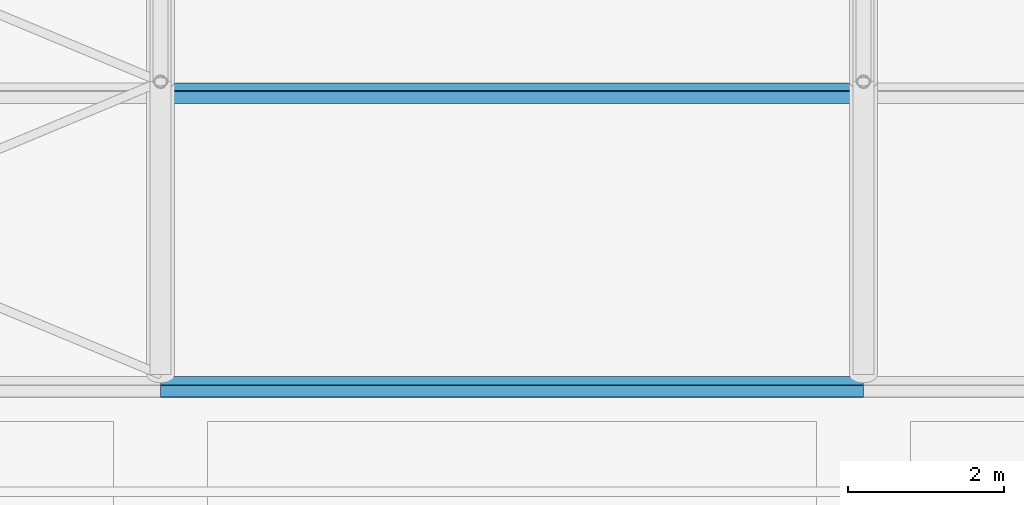
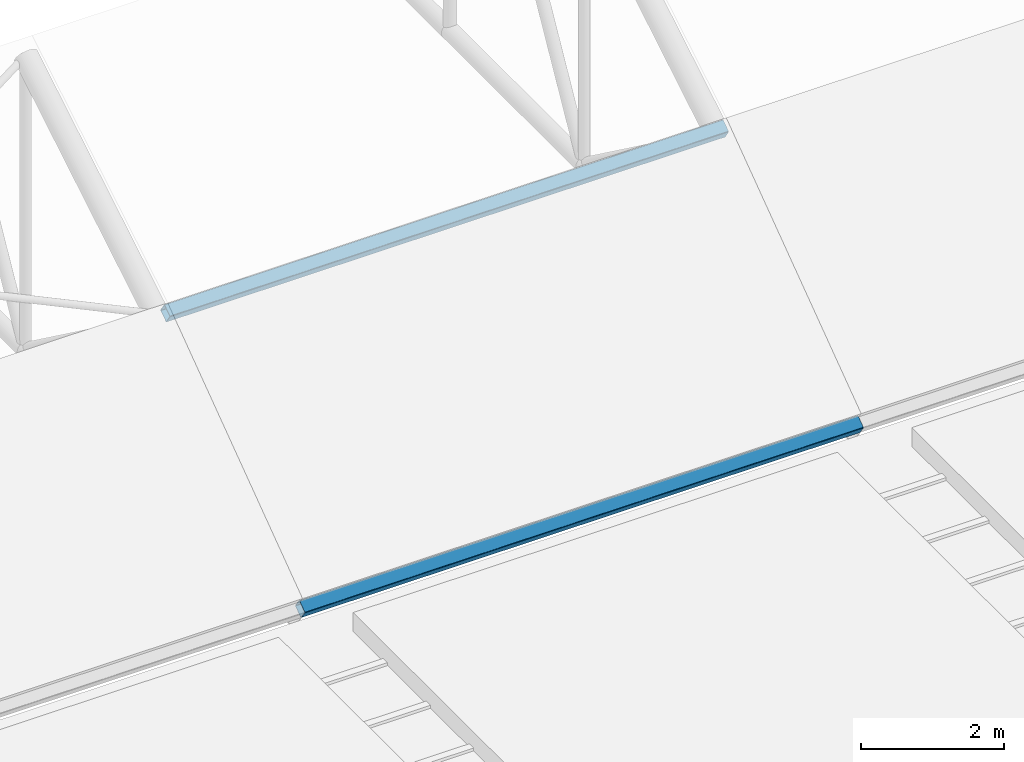
# One storey, part 24 of 153: 2 members.
"""IFC4 building model written with IfcOpenShell, lengths in metres."""

from ifc_helpers import new_model, si_unit, direction, frame, origin, origin_2d, place, context, subcontext, project, spatial, hollow_rectangle, extrude, material, material_profile, profile_set, type_object, element, save


model = new_model("IFC4")

# Units and contexts
model_context = context("Model", 3, precision=1e-05, world=origin(), true_north=direction((0.0, 1.0)))
body_context = subcontext(model_context, "Body", "Model", "MODEL_VIEW")
ifc_project = project(units=[si_unit("LENGTHUNIT", "METRE"), si_unit("AREAUNIT", "SQUARE_METRE"), si_unit("VOLUMEUNIT", "CUBIC_METRE"), si_unit("PLANEANGLEUNIT", "RADIAN"), si_unit("MASSUNIT", "GRAM", prefix="KILO")], contexts=[model_context])

# Site, building, storey
site_placement = place(None, origin())
site = spatial("IfcSite", under=ifc_project, at=site_placement, CompositionType="ELEMENT")
building_placement = place(site_placement, origin())
building = spatial("IfcBuilding", under=site, at=building_placement, Name="Baradari Gate Terminus", CompositionType="ELEMENT")
storey_placement = place(building_placement, frame((0.0, 0.0, 11.699951171875)))
storey = spatial("IfcBuildingStorey", under=building, at=storey_placement, Name="L02", CompositionType="ELEMENT", Elevation=11.699951171875)

# Members
ifc_material = material(Name="Steel S355", Category="steel")
ifc_material_profile = material_profile(ifc_material, hollow_rectangle(XDim=0.199951171875, YDim=0.199951171875, WallThickness=0.008056640625, InnerFilletRadius=0.008056640625, OuterFilletRadius=0.01611328125, at=origin_2d()), Name="SHS 200x200x8")
ifc_profile_set = profile_set([ifc_material_profile], Name="Steel S355")
member_type = type_object("IfcMemberType", Name="Shed purlin SHS 200x200x8", PredefinedType="PURLIN", material=ifc_profile_set)
for number, where, z_axis, x_axis, name in (
    (1, (126.0, 35.8427734375, 0.350830078125), (1.0, 0.0, 0.0), (0.0, 0.80640499586, 0.591363663621), "TR/L02/B135-PU00"),
    (2, (126.0, 39.602783203125, 3.10791015625), (1.0, 0.0, 0.0), (0.0, 0.832836263724, 0.55351942859), "TR/L02/B135-PU01"),
):
    element("IfcMember", number, at=place(storey_placement, frame(where, z_axis=z_axis, x_axis=x_axis)), inside=storey, type_object=member_type, Name=name, PredefinedType="PURLIN", context=body_context, shape_type="SweptSolid", body=[
        extrude(hollow_rectangle(XDim=0.199951171875, YDim=0.199951171875, WallThickness=0.008056640625, InnerFilletRadius=0.008056640625, OuterFilletRadius=0.01611328125, at=origin_2d()), origin(), (0.0, 0.0, 1.0), 9.0),
    ])

save(model, "model.ifc")
